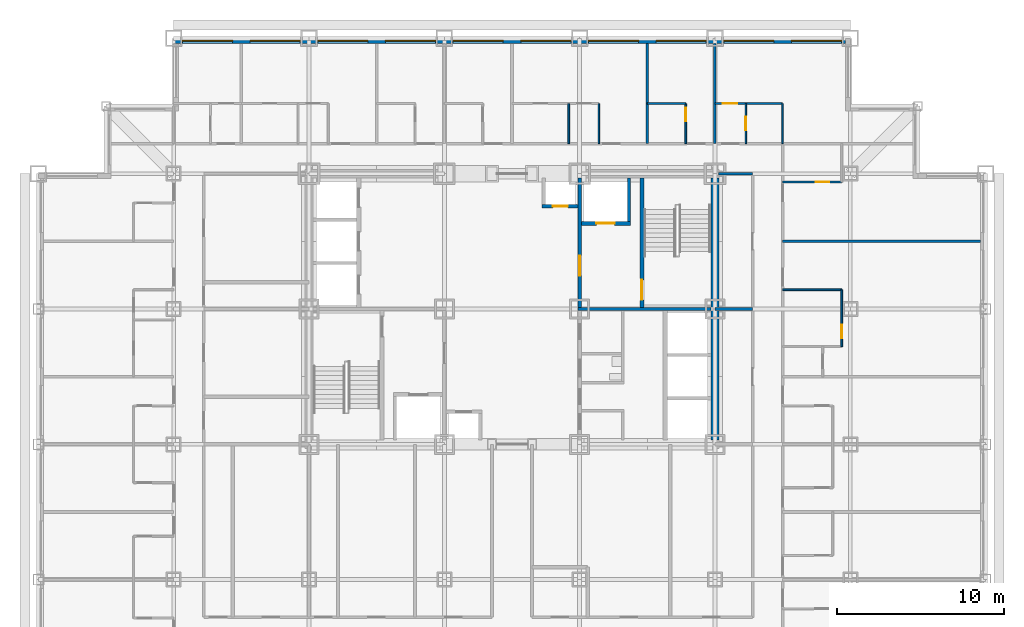
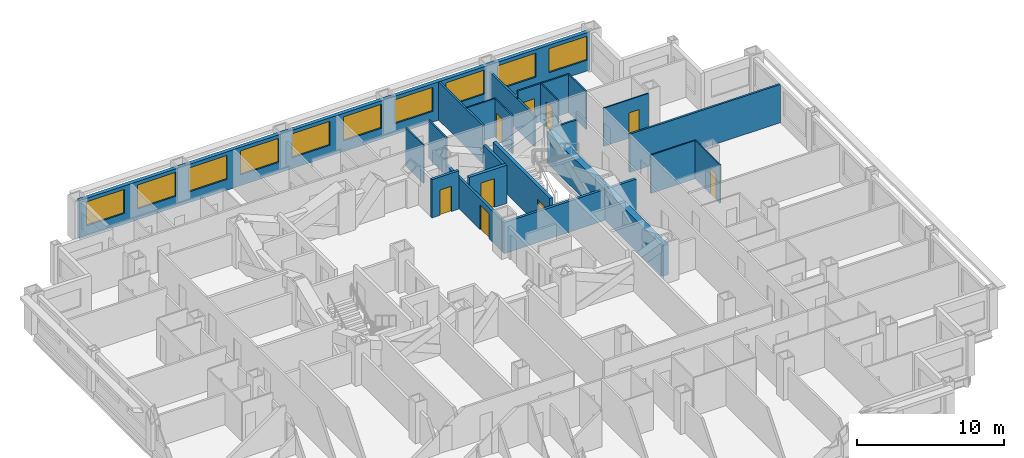
# One storey, part 10 of 13: 23 walls, 10 windows, 9 doors, 19 openings.
"""IFC4 building model written with IfcOpenShell, lengths in metres."""

from ifc_helpers import new_model, si_unit, direction, frame, frame_2d, origin, place, context, subcontext, project, spatial, rectangle, extrude, material, layer, layer_set, type_object, element, fill, save


model = new_model("IFC4")

# Units and contexts
model_context = context("Model", 3, precision=1e-05, world=origin(), true_north=direction((0.0, 1.0)))
body_context = subcontext(model_context, "Body", "Model", "MODEL_VIEW")
ifc_project = project(units=[si_unit("LENGTHUNIT", "METRE"), si_unit("AREAUNIT", "SQUARE_METRE"), si_unit("VOLUMEUNIT", "CUBIC_METRE"), si_unit("PLANEANGLEUNIT", "RADIAN"), si_unit("MASSUNIT", "GRAM", prefix="KILO")], contexts=[model_context])

# Site, building, storey
site_placement = place(None, origin())
site = spatial("IfcSite", under=ifc_project, at=site_placement, CompositionType="ELEMENT")
building_placement = place(site_placement, origin())
building = spatial("IfcBuilding", under=site, at=building_placement, Name="Kopane Lantern Tower", CompositionType="ELEMENT")
storey_placement = place(building_placement, frame((0.0, 0.0, 67.0)))
storey = spatial("IfcBuildingStorey", under=building, at=storey_placement, Name="L16", CompositionType="ELEMENT", Elevation=67.0)

# Wall, opening, door
ifc_material_1 = material(Name="Gypsum board on steel studs", Category="steel")
ifc_layer_1 = layer(ifc_material_1, 0.1201171875)
ifc_layer_set_1 = layer_set([ifc_layer_1], Name="APARTMENT INTERNAL WALL 120")
wall_type_1 = type_object("IfcWallType", Name="APARTMENT INTERNAL WALL 120", PredefinedType="PARTITIONING", material=ifc_layer_set_1)
wall_1_placement = place(storey_placement, frame((40.5, 44.699951171875, 0.0), z_axis=(0.0, 0.0, 1.0), x_axis=(1.0, 0.0, 0.0)))
wall_1 = element("IfcWall", 1, at=wall_1_placement, inside=storey, type_object=wall_type_1, Name="Apartment Internal Wall 120 L16", PredefinedType="PARTITIONING", context=body_context, shape_type="SweptSolid", body=[
    extrude(rectangle(XDim=4.050048828125, YDim=0.1201171875, at=frame_2d((2.02490234375, 0.0))), origin(), (0.0, 0.0, 1.0), 3.18994140625),
])
opening_1_placement = place(wall_1_placement, frame((0.47509765625, 0.0, 0.0)))
opening_1 = element("IfcOpeningElement", 2, at=opening_1_placement, cuts=wall_1, Name="Opening L16-079", PredefinedType="OPENING", context=body_context, shape_type="SweptSolid", body=[
    extrude(rectangle(XDim=0.85009765625, YDim=2.10009765625, at=frame_2d((0.425048828125, 1.050048828125))), frame((0.0, 0.070068359375, 0.0), z_axis=(0.0, -1.0, 0.0), x_axis=(1.0, 0.0, 0.0)), (0.0, 0.0, 1.0), 0.14013671875),
])
ifc_material_2 = material(Name="Timber door set", Category="wood")
door_type_1 = type_object("IfcDoorType", Name="DOOR D4 850x2100", OperationType="SINGLE_SWING_LEFT", PredefinedType="DOOR", material=ifc_material_2)
door_1_placement = place(opening_1_placement, origin())
door_1 = element("IfcDoor", 3, at=door_1_placement, inside=storey, type_object=door_type_1, Name="Door L16-079", OperationType="SINGLE_SWING_LEFT", OverallHeight=2.10009765625, OverallWidth=0.85009765625, PredefinedType="DOOR", context=body_context, shape_type="SweptSolid", body=[
    extrude(rectangle(XDim=0.85009765625, YDim=2.10009765625, at=frame_2d((0.425048828125, 1.050048828125))), frame((0.0, 0.02490234375, 0.0), z_axis=(0.0, -1.0, 0.0), x_axis=(1.0, 0.0, 0.0)), (0.0, 0.0, 1.0), 0.050048828125),
])
fill(opening_1, door_1)

# Walls
ifc_material_3 = material(Name="Moisture-resistant board on steel studs", Category="steel")
ifc_layer_2 = layer(ifc_material_3, 0.10009765625)
ifc_layer_set_2 = layer_set([ifc_layer_2], Name="BATHROOM WALL 100")
wall_type_2 = type_object("IfcWallType", Name="BATHROOM WALL 100", PredefinedType="PARTITIONING", material=ifc_layer_set_2)
for number, where, z_axis, x_axis, name in (
    (4, (31.75, 42.300048828125, 0.0), (0.0, 0.0, 1.0), (0.0, 1.0, 0.0), "Bathroom Wall 100 L16"),
    (5, (33.550048828125, 42.300048828125, 0.0), (0.0, 0.0, 1.0), (0.0, 1.0, 0.0), "Bathroom Wall 100 L16"),
):
    element("IfcWall", number, at=place(storey_placement, frame(where, z_axis=z_axis, x_axis=x_axis)), inside=storey, type_object=wall_type_2, Name=name, PredefinedType="PARTITIONING", context=body_context, shape_type="SweptSolid", body=[
        extrude(rectangle(XDim=2.39990234375, YDim=0.10009765625, at=frame_2d((1.199951171875, 0.0))), origin(), (0.0, 0.0, 1.0), 3.18994140625),
    ])
wall_2_placement = place(storey_placement, frame((36.449951171875, 44.699951171875, 0.0), z_axis=(0.0, 0.0, 1.0), x_axis=(1.0, 0.0, 0.0)))
element("IfcWall", 6, at=wall_2_placement, inside=storey, type_object=wall_type_2, Name="Bathroom Wall 100 L16", PredefinedType="PARTITIONING", context=body_context, shape_type="SweptSolid", body=[
    extrude(rectangle(XDim=2.300048828125, YDim=0.10009765625, at=frame_2d((1.14990234375, 0.0))), origin(), (0.0, 0.0, 1.0), 3.18994140625),
])

# Wall, opening, door
wall_3_placement = place(storey_placement, frame((38.75, 42.300048828125, 0.0), z_axis=(0.0, 0.0, 1.0), x_axis=(0.0, 1.0, 0.0)))
wall_3 = element("IfcWall", 7, at=wall_3_placement, inside=storey, type_object=wall_type_2, Name="Bathroom Wall 100 L16", PredefinedType="PARTITIONING", context=body_context, shape_type="SweptSolid", body=[
    extrude(rectangle(XDim=2.39990234375, YDim=0.10009765625, at=frame_2d((1.199951171875, 0.0))), origin(), (0.0, 0.0, 1.0), 3.18994140625),
])
opening_2_placement = place(wall_3_placement, frame((1.35009765625, 0.0, 0.0)))
opening_2 = element("IfcOpeningElement", 8, at=opening_2_placement, cuts=wall_3, Name="Opening L16-039", PredefinedType="OPENING", context=body_context, shape_type="SweptSolid", body=[
    extrude(rectangle(XDim=0.800048828125, YDim=2.10009765625, at=frame_2d((0.39990234375, 1.050048828125))), frame((0.0, 0.06005859375, 0.0), z_axis=(0.0, -1.0, 0.0), x_axis=(1.0, 0.0, 0.0)), (0.0, 0.0, 1.0), 0.1201171875),
])
ifc_material_4 = material(Name="Timber door set", Category="wood")
door_type_2 = type_object("IfcDoorType", Name="DOOR D2 800x2100", OperationType="SINGLE_SWING_LEFT", PredefinedType="DOOR", material=ifc_material_4)
door_2_placement = place(opening_2_placement, origin())
door_2 = element("IfcDoor", 9, at=door_2_placement, inside=storey, type_object=door_type_2, Name="Door L16-039", OperationType="SINGLE_SWING_RIGHT", OverallHeight=2.10009765625, OverallWidth=0.800048828125, PredefinedType="DOOR", context=body_context, shape_type="SweptSolid", body=[
    extrude(rectangle(XDim=0.800048828125, YDim=2.10009765625, at=frame_2d((0.39990234375, 1.050048828125))), frame((0.0, 0.02490234375, 0.0), z_axis=(0.0, -1.0, 0.0), x_axis=(1.0, 0.0, 0.0)), (0.0, 0.0, 1.0), 0.050048828125),
])
fill(opening_2, door_2)

wall_4_placement = place(storey_placement, frame((48.090087890625, 30.14990234375, 0.0), z_axis=(0.0, 0.0, 1.0), x_axis=(0.0, 1.0, 0.0)))
wall_4 = element("IfcWall", 10, at=wall_4_placement, inside=storey, type_object=wall_type_2, Name="Bathroom Wall 100 L16", PredefinedType="PARTITIONING", context=body_context, shape_type="SweptSolid", body=[
    extrude(rectangle(XDim=3.400146484375, YDim=0.10009765625, at=frame_2d((1.7001953125, 0.0))), origin(), (0.0, 0.0, 1.0), 3.18994140625),
])
opening_3_placement = place(wall_4_placement, frame((0.5, 0.0, 0.0)))
opening_3 = element("IfcOpeningElement", 11, at=opening_3_placement, cuts=wall_4, Name="Opening L16-062", PredefinedType="OPENING", context=body_context, shape_type="SweptSolid", body=[
    extrude(rectangle(XDim=0.800048828125, YDim=2.10009765625, at=frame_2d((0.39990234375, 1.050048828125))), frame((0.0, 0.06005859375, 0.0), z_axis=(0.0, -1.0, 0.0), x_axis=(1.0, 0.0, 0.0)), (0.0, 0.0, 1.0), 0.1201171875),
])
door_3_placement = place(opening_3_placement, origin())
door_3 = element("IfcDoor", 12, at=door_3_placement, inside=storey, type_object=door_type_2, Name="Door L16-062", OperationType="SINGLE_SWING_LEFT", OverallHeight=2.10009765625, OverallWidth=0.800048828125, PredefinedType="DOOR", context=body_context, shape_type="SweptSolid", body=[
    extrude(rectangle(XDim=0.800048828125, YDim=2.10009765625, at=frame_2d((0.39990234375, 1.050048828125))), frame((0.0, 0.02490234375, 0.0), z_axis=(0.0, -1.0, 0.0), x_axis=(1.0, 0.0, 0.0)), (0.0, 0.0, 1.0), 0.050048828125),
])
fill(opening_3, door_3)

# Wall
wall_5_placement = place(storey_placement, frame((44.550048828125, 33.550048828125, 0.0), z_axis=(0.0, 0.0, 1.0), x_axis=(1.0, 0.0, 0.0)))
element("IfcWall", 13, at=wall_5_placement, inside=storey, type_object=wall_type_2, Name="Bathroom Wall 100 L16", PredefinedType="PARTITIONING", context=body_context, shape_type="SweptSolid", body=[
    extrude(rectangle(XDim=3.5400390625, YDim=0.10009765625, at=frame_2d((1.77001953125, 0.0))), origin(), (0.0, 0.0, 1.0), 3.18994140625),
])

# Wall, opening, door
wall_6_placement = place(storey_placement, frame((44.550048828125, 40.0, 0.0), z_axis=(0.0, 0.0, 1.0), x_axis=(1.0, 0.0, 0.0)))
wall_6 = element("IfcWall", 14, at=wall_6_placement, inside=storey, type_object=wall_type_2, Name="Bathroom Wall 100 L16", PredefinedType="PARTITIONING", context=body_context, shape_type="SweptSolid", body=[
    extrude(rectangle(XDim=3.5400390625, YDim=0.10009765625, at=frame_2d((1.77001953125, 0.0))), origin(), (0.0, 0.0, 1.0), 3.18994140625),
])
opening_4_placement = place(wall_6_placement, frame((1.989990234375, 0.0, 0.0)))
opening_4 = element("IfcOpeningElement", 15, at=opening_4_placement, cuts=wall_6, Name="Opening L16-065", PredefinedType="OPENING", context=body_context, shape_type="SweptSolid", body=[
    extrude(rectangle(XDim=0.800048828125, YDim=2.10009765625, at=frame_2d((0.39990234375, 1.050048828125))), frame((0.0, 0.06005859375, 0.0), z_axis=(0.0, -1.0, 0.0), x_axis=(1.0, 0.0, 0.0)), (0.0, 0.0, 1.0), 0.1201171875),
])
door_4_placement = place(opening_4_placement, origin())
door_4 = element("IfcDoor", 16, at=door_4_placement, inside=storey, type_object=door_type_2, Name="Door L16-065", OperationType="SINGLE_SWING_RIGHT", OverallHeight=2.10009765625, OverallWidth=0.800048828125, PredefinedType="DOOR", context=body_context, shape_type="SweptSolid", body=[
    extrude(rectangle(XDim=0.800048828125, YDim=2.10009765625, at=frame_2d((0.39990234375, 1.050048828125))), frame((0.0, 0.02490234375, 0.0), z_axis=(0.0, -1.0, 0.0), x_axis=(1.0, 0.0, 0.0)), (0.0, 0.0, 1.0), 0.050048828125),
])
fill(opening_4, door_4)

wall_7_placement = place(storey_placement, frame((42.35009765625, 42.300048828125, 0.0), z_axis=(0.0, 0.0, 1.0), x_axis=(0.0, 1.0, 0.0)))
wall_7 = element("IfcWall", 17, at=wall_7_placement, inside=storey, type_object=wall_type_2, Name="Bathroom Wall 100 L16", PredefinedType="PARTITIONING", context=body_context, shape_type="SweptSolid", body=[
    extrude(rectangle(XDim=2.39990234375, YDim=0.10009765625, at=frame_2d((1.199951171875, 0.0))), origin(), (0.0, 0.0, 1.0), 3.18994140625),
])
opening_5_placement = place(wall_7_placement, frame((0.800048828125, 0.0, 0.0)))
opening_5 = element("IfcOpeningElement", 18, at=opening_5_placement, cuts=wall_7, Name="Opening L16-077", PredefinedType="OPENING", context=body_context, shape_type="SweptSolid", body=[
    extrude(rectangle(XDim=0.800048828125, YDim=2.10009765625, at=frame_2d((0.39990234375, 1.050048828125))), frame((0.0, 0.06005859375, 0.0), z_axis=(0.0, -1.0, 0.0), x_axis=(1.0, 0.0, 0.0)), (0.0, 0.0, 1.0), 0.1201171875),
])
door_5_placement = place(opening_5_placement, origin())
door_5 = element("IfcDoor", 19, at=door_5_placement, inside=storey, type_object=door_type_2, Name="Door L16-077", OperationType="SINGLE_SWING_RIGHT", OverallHeight=2.10009765625, OverallWidth=0.800048828125, PredefinedType="DOOR", context=body_context, shape_type="SweptSolid", body=[
    extrude(rectangle(XDim=0.800048828125, YDim=2.10009765625, at=frame_2d((0.39990234375, 1.050048828125))), frame((0.0, 0.02490234375, 0.0), z_axis=(0.0, -1.0, 0.0), x_axis=(1.0, 0.0, 0.0)), (0.0, 0.0, 1.0), 0.050048828125),
])
fill(opening_5, door_5)

# Walls
wall_8_placement = place(storey_placement, frame((44.550048828125, 42.300048828125, 0.0), z_axis=(0.0, 0.0, 1.0), x_axis=(0.0, 1.0, 0.0)))
element("IfcWall", 20, at=wall_8_placement, inside=storey, type_object=wall_type_2, Name="Bathroom Wall 100 L16", PredefinedType="PARTITIONING", context=body_context, shape_type="SweptSolid", body=[
    extrude(rectangle(XDim=2.39990234375, YDim=0.10009765625, at=frame_2d((1.199951171875, 0.0))), origin(), (0.0, 0.0, 1.0), 3.18994140625),
])
ifc_material_5 = material(Name="Gypsum shaft wall EI 120", Category="gypsum")
ifc_layer_3 = layer(ifc_material_5, 0.5)
ifc_layer_set_3 = layer_set([ifc_layer_3], Name="CORE PERIMETER WALL 500 EI 120")
wall_type_3 = type_object("IfcWallType", Name="CORE PERIMETER WALL 500 EI 120", PredefinedType="SOLIDWALL", material=ifc_layer_set_3)
wall_9_placement = place(storey_placement, frame((40.5, 24.550048828125, 0.0), z_axis=(0.0, 0.0, 1.0), x_axis=(0.0, 1.0, 0.0)))
element("IfcWall", 21, at=wall_9_placement, inside=storey, type_object=wall_type_3, Name="Core shaft wall L16 PE", PredefinedType="SOLIDWALL", context=body_context, shape_type="SweptSolid", body=[
    extrude(rectangle(XDim=15.699951171875, YDim=0.5, at=frame_2d((7.85009765625, 0.0))), origin(), (0.0, 0.0, 1.0), 2.577880859375),
])

# Wall, opening, door
ifc_material_6 = material(Name="Gypsum shaft wall EI 120", Category="gypsum")
ifc_layer_4 = layer(ifc_material_6, 0.25)
ifc_layer_set_4 = layer_set([ifc_layer_4], Name="CORE SHAFT WALL 250 EI 120")
wall_type_4 = type_object("IfcWallType", Name="CORE SHAFT WALL 250 EI 120", PredefinedType="SOLIDWALL", material=ifc_layer_set_4)
wall_10_placement = place(storey_placement, frame((36.125, 32.5, 0.0), z_axis=(0.0, 0.0, 1.0), x_axis=(0.0, 1.0, 0.0)))
wall_10 = element("IfcWall", 22, at=wall_10_placement, inside=storey, type_object=wall_type_4, Name="Core shaft wall L16 XST2", PredefinedType="SOLIDWALL", context=body_context, shape_type="SweptSolid", body=[
    extrude(rectangle(XDim=7.75, YDim=0.25, at=frame_2d((3.875, 0.0))), origin(), (0.0, 0.0, 1.0), 3.18994140625),
])
opening_6_placement = place(wall_10_placement, frame((0.449951171875, 0.0, 0.0)))
opening_6 = element("IfcOpeningElement", 23, at=opening_6_placement, cuts=wall_10, Name="Opening 16.SD2", PredefinedType="OPENING", context=body_context, shape_type="SweptSolid", body=[
    extrude(rectangle(XDim=1.199951171875, YDim=2.10009765625, at=frame_2d((0.60009765625, 1.050048828125))), frame((0.0, 0.135009765625, 0.0), z_axis=(0.0, -1.0, 0.0), x_axis=(1.0, 0.0, 0.0)), (0.0, 0.0, 1.0), 0.27001953125),
])
ifc_material_7 = material(Name="Steel door set", Category="steel")
door_type_3 = type_object("IfcDoorType", Name="STAIR DOOR 1200x2100 FD60S", OperationType="SINGLE_SWING_LEFT", PredefinedType="DOOR", material=ifc_material_7)
door_6_placement = place(opening_6_placement, origin())
door_6 = element("IfcDoor", 24, at=door_6_placement, inside=storey, type_object=door_type_3, Name="Stair door ST2 L16", OperationType="SINGLE_SWING_RIGHT", OverallHeight=2.10009765625, OverallWidth=1.199951171875, PredefinedType="DOOR", context=body_context, shape_type="SweptSolid", body=[
    extrude(rectangle(XDim=1.199951171875, YDim=2.10009765625, at=frame_2d((0.60009765625, 1.050048828125))), frame((0.0, 0.02490234375, 0.0), z_axis=(0.0, -1.0, 0.0), x_axis=(1.0, 0.0, 0.0)), (0.0, 0.0, 1.0), 0.050048828125),
])
fill(opening_6, door_6)

wall_11_placement = place(storey_placement, frame((32.5, 37.52490234375, 0.0), z_axis=(0.0, 0.0, 1.0), x_axis=(1.0, 0.0, 0.0)))
wall_11 = element("IfcWall", 25, at=wall_11_placement, inside=storey, type_object=wall_type_4, Name="Core shaft wall L16 YLF2", PredefinedType="SOLIDWALL", context=body_context, shape_type="SweptSolid", body=[
    extrude(rectangle(XDim=2.949951171875, YDim=0.25, at=frame_2d((1.47509765625, 0.0))), origin(), (0.0, 0.0, 1.0), 3.18994140625),
])
opening_7_placement = place(wall_11_placement, frame((0.89990234375, 0.0, 0.0)))
opening_7 = element("IfcOpeningElement", 26, at=opening_7_placement, cuts=wall_11, Name="Opening 16.LD-LF2", PredefinedType="OPENING", context=body_context, shape_type="SweptSolid", body=[
    extrude(rectangle(XDim=1.10009765625, YDim=2.39990234375, at=frame_2d((0.550048828125, 1.199951171875))), frame((0.0, 0.135009765625, 0.0), z_axis=(0.0, -1.0, 0.0), x_axis=(1.0, 0.0, 0.0)), (0.0, 0.0, 1.0), 0.27001953125),
])
ifc_material_8 = material(Name="Steel door set", Category="steel")
door_type_4 = type_object("IfcDoorType", Name="LIFT LANDING DOOR 1100x2400 FD60", OperationType="DOUBLE_DOOR_SLIDING", PredefinedType="DOOR", material=ifc_material_8)
door_7_placement = place(opening_7_placement, origin())
door_7 = element("IfcDoor", 27, at=door_7_placement, inside=storey, type_object=door_type_4, Name="Landing door LF2 L16", OperationType="DOUBLE_DOOR_SLIDING", OverallHeight=2.39990234375, OverallWidth=1.10009765625, PredefinedType="DOOR", context=body_context, shape_type="SweptSolid", body=[
    extrude(rectangle(XDim=1.10009765625, YDim=2.39990234375, at=frame_2d((0.550048828125, 1.199951171875))), frame((0.0, 0.02490234375, 0.0), z_axis=(0.0, -1.0, 0.0), x_axis=(1.0, 0.0, 0.0)), (0.0, 0.0, 1.0), 0.050048828125),
])
fill(opening_7, door_7)

# Walls
ifc_material_9 = material(Name="Gypsum board on steel studs", Category="steel")
ifc_layer_5 = layer(ifc_material_9, 0.14990234375)
ifc_layer_set_5 = layer_set([ifc_layer_5], Name="CORRIDOR WALL 150 EI 60")
wall_type_5 = type_object("IfcWallType", Name="CORRIDOR WALL 150 EI 60", PredefinedType="PARTITIONING", material=ifc_layer_set_5)
wall_12_placement = place(storey_placement, frame((42.75, 40.5, 0.0), z_axis=(0.0, 0.0, 1.0), x_axis=(-1.0, 0.0, 0.0)))
element("IfcWall", 28, at=wall_12_placement, inside=storey, type_object=wall_type_5, Name="Corridor Wall 150 Ei 60 L16", PredefinedType="PARTITIONING", context=body_context, shape_type="SweptSolid", body=[
    extrude(rectangle(XDim=2.050048828125, YDim=0.14990234375, at=frame_2d((1.02490234375, 0.0))), origin(), (0.0, 0.0, 1.0), 2.577880859375),
])
ifc_material_10 = material(Name="Gypsum board on steel studs", Category="steel")
ifc_layer_6 = layer(ifc_material_10, 0.14990234375)
ifc_layer_set_6 = layer_set([ifc_layer_6], Name="DEMISING WALL 150 EI 60")
wall_type_6 = type_object("IfcWallType", Name="DEMISING WALL 150 EI 60", PredefinedType="PARTITIONING", material=ifc_layer_set_6)
wall_13_placement = place(storey_placement, frame((36.449951171875, 42.300048828125, 0.0), z_axis=(0.0, 0.0, 1.0), x_axis=(0.0, 1.0, 0.0)))
element("IfcWall", 29, at=wall_13_placement, inside=storey, type_object=wall_type_6, Name="Demising Wall 150 Ei 60 L16", PredefinedType="PARTITIONING", context=body_context, shape_type="SweptSolid", body=[
    extrude(rectangle(XDim=6.0, YDim=0.14990234375, at=frame_2d((3.0, 0.0))), origin(), (0.0, 0.0, 1.0), 3.18994140625),
])
wall_14_placement = place(storey_placement, frame((44.550048828125, 36.449951171875, 0.0), z_axis=(0.0, 0.0, 1.0), x_axis=(1.0, 0.0, 0.0)))
element("IfcWall", 30, at=wall_14_placement, inside=storey, type_object=wall_type_6, Name="Demising Wall 150 Ei 60 L16", PredefinedType="PARTITIONING", context=body_context, shape_type="SweptSolid", body=[
    extrude(rectangle(XDim=11.849853515625, YDim=0.14990234375, at=frame_2d((5.9248046875, 0.0))), origin(), (0.0, 0.0, 1.0), 3.18994140625),
])
wall_15_placement = place(storey_placement, frame((40.5, 42.300048828125, 0.0), z_axis=(0.0, 0.0, 1.0), x_axis=(0.0, 1.0, 0.0)))
element("IfcWall", 31, at=wall_15_placement, inside=storey, type_object=wall_type_6, Name="Demising Wall 150 Ei 60 L16", PredefinedType="PARTITIONING", context=body_context, shape_type="SweptSolid", body=[
    extrude(rectangle(XDim=6.0, YDim=0.14990234375, at=frame_2d((3.0, 0.0))), origin(), (0.0, 0.0, 1.0), 2.577880859375),
])

# Wall, openings, windows
ifc_material_11 = material(Name="Terracotta rainscreen on light steel framing", Category="masonry")
ifc_layer_7 = layer(ifc_material_11, 0.300048828125)
ifc_layer_set_7 = layer_set([ifc_layer_7], Name="EXTERNAL WALL EW1 300 TERRACOTTA")
wall_type_7 = type_object("IfcWallType", Name="EXTERNAL WALL EW1 300 TERRACOTTA", PredefinedType="SOLIDWALL", material=ifc_layer_set_7)
wall_16_placement = place(storey_placement, frame((48.300048828125, 48.449951171875, 0.0), z_axis=(0.0, 0.0, 1.0), x_axis=(-1.0, 0.0, 0.0)))
wall_16 = element("IfcWall", 32, at=wall_16_placement, inside=storey, type_object=wall_type_7, Name="External wall N L16", PredefinedType="SOLIDWALL", context=body_context, shape_type="SweptSolid", body=[
    extrude(rectangle(XDim=40.199951171875, YDim=0.300048828125, at=frame_2d((20.10009765625, 0.0))), origin(), (0.0, 0.0, 1.0), 3.18994140625),
])
opening_8_placement = place(wall_16_placement, frame((0.22509765625, 0.0, 0.89990234375)))
opening_8 = element("IfcOpeningElement", 33, at=opening_8_placement, cuts=wall_16, Name="Opening WR300200", PredefinedType="OPENING", context=body_context, shape_type="SweptSolid", body=[
    extrude(rectangle(XDim=3.0, YDim=2.0, at=frame_2d((1.5, 1.0))), frame((0.0, 0.159912109375, 0.0), z_axis=(0.0, -1.0, 0.0), x_axis=(1.0, 0.0, 0.0)), (0.0, 0.0, 1.0), 0.320068359375),
])
opening_9_placement = place(wall_16_placement, frame((4.27490234375, 0.0, 0.89990234375)))
opening_9 = element("IfcOpeningElement", 34, at=opening_9_placement, cuts=wall_16, Name="Opening WR300200", PredefinedType="OPENING", context=body_context, shape_type="SweptSolid", body=[
    extrude(rectangle(XDim=3.0, YDim=2.0, at=frame_2d((1.5, 1.0))), frame((0.0, 0.159912109375, 0.0), z_axis=(0.0, -1.0, 0.0), x_axis=(1.0, 0.0, 0.0)), (0.0, 0.0, 1.0), 0.320068359375),
])
opening_10_placement = place(wall_16_placement, frame((8.324951171875, 0.0, 0.89990234375)))
opening_10 = element("IfcOpeningElement", 35, at=opening_10_placement, cuts=wall_16, Name="Opening WR300200", PredefinedType="OPENING", context=body_context, shape_type="SweptSolid", body=[
    extrude(rectangle(XDim=3.0, YDim=2.0, at=frame_2d((1.5, 1.0))), frame((0.0, 0.159912109375, 0.0), z_axis=(0.0, -1.0, 0.0), x_axis=(1.0, 0.0, 0.0)), (0.0, 0.0, 1.0), 0.320068359375),
])
opening_11_placement = place(wall_16_placement, frame((12.375, 0.0, 0.89990234375)))
opening_11 = element("IfcOpeningElement", 36, at=opening_11_placement, cuts=wall_16, Name="Opening WR300200", PredefinedType="OPENING", context=body_context, shape_type="SweptSolid", body=[
    extrude(rectangle(XDim=3.0, YDim=2.0, at=frame_2d((1.5, 1.0))), frame((0.0, 0.159912109375, 0.0), z_axis=(0.0, -1.0, 0.0), x_axis=(1.0, 0.0, 0.0)), (0.0, 0.0, 1.0), 0.320068359375),
])
opening_12_placement = place(wall_16_placement, frame((16.425048828125, 0.0, 0.89990234375)))
opening_12 = element("IfcOpeningElement", 37, at=opening_12_placement, cuts=wall_16, Name="Opening WR300200", PredefinedType="OPENING", context=body_context, shape_type="SweptSolid", body=[
    extrude(rectangle(XDim=3.0, YDim=2.0, at=frame_2d((1.5, 1.0))), frame((0.0, 0.159912109375, 0.0), z_axis=(0.0, -1.0, 0.0), x_axis=(1.0, 0.0, 0.0)), (0.0, 0.0, 1.0), 0.320068359375),
])
opening_13_placement = place(wall_16_placement, frame((20.47509765625, 0.0, 0.89990234375)))
opening_13 = element("IfcOpeningElement", 38, at=opening_13_placement, cuts=wall_16, Name="Opening WR300200", PredefinedType="OPENING", context=body_context, shape_type="SweptSolid", body=[
    extrude(rectangle(XDim=3.0, YDim=2.0, at=frame_2d((1.5, 1.0))), frame((0.0, 0.159912109375, 0.0), z_axis=(0.0, -1.0, 0.0), x_axis=(1.0, 0.0, 0.0)), (0.0, 0.0, 1.0), 0.320068359375),
])
opening_14_placement = place(wall_16_placement, frame((24.52490234375, 0.0, 0.89990234375)))
opening_14 = element("IfcOpeningElement", 39, at=opening_14_placement, cuts=wall_16, Name="Opening WR300200", PredefinedType="OPENING", context=body_context, shape_type="SweptSolid", body=[
    extrude(rectangle(XDim=3.0, YDim=2.0, at=frame_2d((1.5, 1.0))), frame((0.0, 0.159912109375, 0.0), z_axis=(0.0, -1.0, 0.0), x_axis=(1.0, 0.0, 0.0)), (0.0, 0.0, 1.0), 0.320068359375),
])
opening_15_placement = place(wall_16_placement, frame((28.574951171875, 0.0, 0.89990234375)))
opening_15 = element("IfcOpeningElement", 40, at=opening_15_placement, cuts=wall_16, Name="Opening WR300200", PredefinedType="OPENING", context=body_context, shape_type="SweptSolid", body=[
    extrude(rectangle(XDim=3.0, YDim=2.0, at=frame_2d((1.5, 1.0))), frame((0.0, 0.159912109375, 0.0), z_axis=(0.0, -1.0, 0.0), x_axis=(1.0, 0.0, 0.0)), (0.0, 0.0, 1.0), 0.320068359375),
])
opening_16_placement = place(wall_16_placement, frame((32.625, 0.0, 0.89990234375)))
opening_16 = element("IfcOpeningElement", 41, at=opening_16_placement, cuts=wall_16, Name="Opening WR300200", PredefinedType="OPENING", context=body_context, shape_type="SweptSolid", body=[
    extrude(rectangle(XDim=3.0, YDim=2.0, at=frame_2d((1.5, 1.0))), frame((0.0, 0.159912109375, 0.0), z_axis=(0.0, -1.0, 0.0), x_axis=(1.0, 0.0, 0.0)), (0.0, 0.0, 1.0), 0.320068359375),
])
opening_17_placement = place(wall_16_placement, frame((36.675048828125, 0.0, 0.89990234375)))
opening_17 = element("IfcOpeningElement", 42, at=opening_17_placement, cuts=wall_16, Name="Opening WR300200", PredefinedType="OPENING", context=body_context, shape_type="SweptSolid", body=[
    extrude(rectangle(XDim=3.0, YDim=2.0, at=frame_2d((1.5, 1.0))), frame((0.0, 0.159912109375, 0.0), z_axis=(0.0, -1.0, 0.0), x_axis=(1.0, 0.0, 0.0)), (0.0, 0.0, 1.0), 0.320068359375),
])
ifc_material_12 = material(Name="Aluminium and clear glass", Category="aluminium")
window_type = type_object("IfcWindowType", Name="RIBBON WINDOW WR300200 3000x2000", PartitioningType="SINGLE_PANEL", PredefinedType="WINDOW", material=ifc_material_12)
window_1_placement = place(opening_8_placement, origin())
window_1 = element("IfcWindow", 43, at=window_1_placement, inside=storey, type_object=window_type, Name="Window N L16", OverallHeight=2.0, OverallWidth=3.0, PartitioningType="SINGLE_PANEL", PredefinedType="WINDOW", context=body_context, shape_type="SweptSolid", body=[
    extrude(rectangle(XDim=3.0, YDim=2.0, at=frame_2d((1.5, 1.0))), frame((0.0, 0.030029296875, 0.0), z_axis=(0.0, -1.0, 0.0), x_axis=(1.0, 0.0, 0.0)), (0.0, 0.0, 1.0), 0.06005859375),
])
fill(opening_8, window_1)
window_2_placement = place(opening_9_placement, origin())
window_2 = element("IfcWindow", 44, at=window_2_placement, inside=storey, type_object=window_type, Name="Window N L16", OverallHeight=2.0, OverallWidth=3.0, PartitioningType="SINGLE_PANEL", PredefinedType="WINDOW", context=body_context, shape_type="SweptSolid", body=[
    extrude(rectangle(XDim=3.0, YDim=2.0, at=frame_2d((1.5, 1.0))), frame((0.0, 0.030029296875, 0.0), z_axis=(0.0, -1.0, 0.0), x_axis=(1.0, 0.0, 0.0)), (0.0, 0.0, 1.0), 0.06005859375),
])
fill(opening_9, window_2)
window_3_placement = place(opening_10_placement, origin())
window_3 = element("IfcWindow", 45, at=window_3_placement, inside=storey, type_object=window_type, Name="Window N L16", OverallHeight=2.0, OverallWidth=3.0, PartitioningType="SINGLE_PANEL", PredefinedType="WINDOW", context=body_context, shape_type="SweptSolid", body=[
    extrude(rectangle(XDim=3.0, YDim=2.0, at=frame_2d((1.5, 1.0))), frame((0.0, 0.030029296875, 0.0), z_axis=(0.0, -1.0, 0.0), x_axis=(1.0, 0.0, 0.0)), (0.0, 0.0, 1.0), 0.06005859375),
])
fill(opening_10, window_3)
window_4_placement = place(opening_11_placement, origin())
window_4 = element("IfcWindow", 46, at=window_4_placement, inside=storey, type_object=window_type, Name="Window N L16", OverallHeight=2.0, OverallWidth=3.0, PartitioningType="SINGLE_PANEL", PredefinedType="WINDOW", context=body_context, shape_type="SweptSolid", body=[
    extrude(rectangle(XDim=3.0, YDim=2.0, at=frame_2d((1.5, 1.0))), frame((0.0, 0.030029296875, 0.0), z_axis=(0.0, -1.0, 0.0), x_axis=(1.0, 0.0, 0.0)), (0.0, 0.0, 1.0), 0.06005859375),
])
fill(opening_11, window_4)
window_5_placement = place(opening_12_placement, origin())
window_5 = element("IfcWindow", 47, at=window_5_placement, inside=storey, type_object=window_type, Name="Window N L16", OverallHeight=2.0, OverallWidth=3.0, PartitioningType="SINGLE_PANEL", PredefinedType="WINDOW", context=body_context, shape_type="SweptSolid", body=[
    extrude(rectangle(XDim=3.0, YDim=2.0, at=frame_2d((1.5, 1.0))), frame((0.0, 0.030029296875, 0.0), z_axis=(0.0, -1.0, 0.0), x_axis=(1.0, 0.0, 0.0)), (0.0, 0.0, 1.0), 0.06005859375),
])
fill(opening_12, window_5)
window_6_placement = place(opening_13_placement, origin())
window_6 = element("IfcWindow", 48, at=window_6_placement, inside=storey, type_object=window_type, Name="Window N L16", OverallHeight=2.0, OverallWidth=3.0, PartitioningType="SINGLE_PANEL", PredefinedType="WINDOW", context=body_context, shape_type="SweptSolid", body=[
    extrude(rectangle(XDim=3.0, YDim=2.0, at=frame_2d((1.5, 1.0))), frame((0.0, 0.030029296875, 0.0), z_axis=(0.0, -1.0, 0.0), x_axis=(1.0, 0.0, 0.0)), (0.0, 0.0, 1.0), 0.06005859375),
])
fill(opening_13, window_6)
window_7_placement = place(opening_14_placement, origin())
window_7 = element("IfcWindow", 49, at=window_7_placement, inside=storey, type_object=window_type, Name="Window N L16", OverallHeight=2.0, OverallWidth=3.0, PartitioningType="SINGLE_PANEL", PredefinedType="WINDOW", context=body_context, shape_type="SweptSolid", body=[
    extrude(rectangle(XDim=3.0, YDim=2.0, at=frame_2d((1.5, 1.0))), frame((0.0, 0.030029296875, 0.0), z_axis=(0.0, -1.0, 0.0), x_axis=(1.0, 0.0, 0.0)), (0.0, 0.0, 1.0), 0.06005859375),
])
fill(opening_14, window_7)
window_8_placement = place(opening_15_placement, origin())
window_8 = element("IfcWindow", 50, at=window_8_placement, inside=storey, type_object=window_type, Name="Window N L16", OverallHeight=2.0, OverallWidth=3.0, PartitioningType="SINGLE_PANEL", PredefinedType="WINDOW", context=body_context, shape_type="SweptSolid", body=[
    extrude(rectangle(XDim=3.0, YDim=2.0, at=frame_2d((1.5, 1.0))), frame((0.0, 0.030029296875, 0.0), z_axis=(0.0, -1.0, 0.0), x_axis=(1.0, 0.0, 0.0)), (0.0, 0.0, 1.0), 0.06005859375),
])
fill(opening_15, window_8)
window_9_placement = place(opening_16_placement, origin())
window_9 = element("IfcWindow", 51, at=window_9_placement, inside=storey, type_object=window_type, Name="Window N L16", OverallHeight=2.0, OverallWidth=3.0, PartitioningType="SINGLE_PANEL", PredefinedType="WINDOW", context=body_context, shape_type="SweptSolid", body=[
    extrude(rectangle(XDim=3.0, YDim=2.0, at=frame_2d((1.5, 1.0))), frame((0.0, 0.030029296875, 0.0), z_axis=(0.0, -1.0, 0.0), x_axis=(1.0, 0.0, 0.0)), (0.0, 0.0, 1.0), 0.06005859375),
])
fill(opening_16, window_9)
window_10_placement = place(opening_17_placement, origin())
window_10 = element("IfcWindow", 52, at=window_10_placement, inside=storey, type_object=window_type, Name="Window N L16", OverallHeight=2.0, OverallWidth=3.0, PartitioningType="SINGLE_PANEL", PredefinedType="WINDOW", context=body_context, shape_type="SweptSolid", body=[
    extrude(rectangle(XDim=3.0, YDim=2.0, at=frame_2d((1.5, 1.0))), frame((0.0, 0.030029296875, 0.0), z_axis=(0.0, -1.0, 0.0), x_axis=(1.0, 0.0, 0.0)), (0.0, 0.0, 1.0), 0.06005859375),
])
fill(opening_17, window_10)

# Walls
ifc_material_13 = material(Name="Concrete masonry", Category="masonry")
ifc_layer_8 = layer(ifc_material_13, 0.199951171875)
ifc_layer_set_8 = layer_set([ifc_layer_8], Name="PLANT ROOM WALL 200 EI 120")
wall_type_8 = type_object("IfcWallType", Name="PLANT ROOM WALL 200 EI 120", PredefinedType="SOLIDWALL", material=ifc_layer_set_8)
wall_17_placement = place(storey_placement, frame((40.5, 32.39990234375, 0.0), z_axis=(0.0, 0.0, 1.0), x_axis=(1.0, 0.0, 0.0)))
element("IfcWall", 53, at=wall_17_placement, inside=storey, type_object=wall_type_8, Name="Plant Room Wall 200 Ei 120 L16", PredefinedType="SOLIDWALL", context=body_context, shape_type="SweptSolid", body=[
    extrude(rectangle(XDim=2.25, YDim=0.199951171875, at=frame_2d((1.125, 0.0))), origin(), (0.0, 0.0, 1.0), 2.577880859375),
])
ifc_material_14 = material(Name="Gypsum shaft wall EI 120", Category="gypsum")
ifc_layer_9 = layer(ifc_material_14, 0.199951171875)
ifc_layer_set_9 = layer_set([ifc_layer_9], Name="SHAFT WALL 200 EI 120")
wall_type_9 = type_object("IfcWallType", Name="SHAFT WALL 200 EI 120", PredefinedType="SOLIDWALL", material=ifc_layer_set_9)
wall_18_placement = place(storey_placement, frame((32.300048828125, 32.39990234375, 0.0), z_axis=(0.0, 0.0, 1.0), x_axis=(1.0, 0.0, 0.0)))
element("IfcWall", 54, at=wall_18_placement, inside=storey, type_object=wall_type_9, Name="Core shaft wall L16 Y324E", PredefinedType="SOLIDWALL", context=body_context, shape_type="SweptSolid", body=[
    extrude(rectangle(XDim=7.949951171875, YDim=0.199951171875, at=frame_2d((3.97509765625, 0.0))), origin(), (0.0, 0.0, 1.0), 2.577880859375),
])

# Wall, opening, door
wall_19_placement = place(storey_placement, frame((32.39990234375, 32.5, 0.0), z_axis=(0.0, 0.0, 1.0), x_axis=(0.0, 1.0, 0.0)))
wall_19 = element("IfcWall", 55, at=wall_19_placement, inside=storey, type_object=wall_type_9, Name="Core shaft wall L16 X324", PredefinedType="SOLIDWALL", context=body_context, shape_type="SweptSolid", body=[
    extrude(rectangle(XDim=7.75, YDim=0.199951171875, at=frame_2d((3.875, 0.0))), origin(), (0.0, 0.0, 1.0), 2.577880859375),
])
opening_18_placement = place(wall_19_placement, frame((1.89990234375, 0.0, 0.0)))
opening_18 = element("IfcOpeningElement", 56, at=opening_18_placement, cuts=wall_19, Name="Opening 16.FL2", PredefinedType="OPENING", context=body_context, shape_type="SweptSolid", body=[
    extrude(rectangle(XDim=1.199951171875, YDim=2.10009765625, at=frame_2d((0.60009765625, 1.050048828125))), frame((0.0, 0.10986328125, 0.0), z_axis=(0.0, -1.0, 0.0), x_axis=(1.0, 0.0, 0.0)), (0.0, 0.0, 1.0), 0.219970703125),
])
ifc_material_15 = material(Name="Steel door set", Category="steel")
door_type_5 = type_object("IfcDoorType", Name="FIREFIGHTING LOBBY DOOR 1200x2100 FD60S", OperationType="SINGLE_SWING_RIGHT", PredefinedType="DOOR", material=ifc_material_15)
door_8_placement = place(opening_18_placement, origin())
door_8 = element("IfcDoor", 57, at=door_8_placement, inside=storey, type_object=door_type_5, Name="Firefighting lobby door FL2 L16", OperationType="SINGLE_SWING_LEFT", OverallHeight=2.10009765625, OverallWidth=1.199951171875, PredefinedType="DOOR", context=body_context, shape_type="SweptSolid", body=[
    extrude(rectangle(XDim=1.199951171875, YDim=2.10009765625, at=frame_2d((0.60009765625, 1.050048828125))), frame((0.0, 0.02490234375, 0.0), z_axis=(0.0, -1.0, 0.0), x_axis=(1.0, 0.0, 0.0)), (0.0, 0.0, 1.0), 0.050048828125),
])
fill(opening_18, door_8)

# Wall
wall_20_placement = place(storey_placement, frame((35.35009765625, 37.64990234375, 0.0), z_axis=(0.0, 0.0, 1.0), x_axis=(0.0, 1.0, 0.0)))
element("IfcWall", 58, at=wall_20_placement, inside=storey, type_object=wall_type_9, Name="Core shaft wall L16 XLF2", PredefinedType="SOLIDWALL", context=body_context, shape_type="SweptSolid", body=[
    extrude(rectangle(XDim=2.60009765625, YDim=0.199951171875, at=frame_2d((1.300048828125, 0.0))), origin(), (0.0, 0.0, 1.0), 3.18994140625),
])

# Wall, opening, door
wall_21_placement = place(storey_placement, frame((30.14990234375, 38.550048828125, 0.0), z_axis=(0.0, 0.0, 1.0), x_axis=(1.0, 0.0, 0.0)))
wall_21 = element("IfcWall", 59, at=wall_21_placement, inside=storey, type_object=wall_type_9, Name="Core shaft wall L16 YRS2", PredefinedType="SOLIDWALL", context=body_context, shape_type="SweptSolid", body=[
    extrude(rectangle(XDim=2.150146484375, YDim=0.199951171875, at=frame_2d((1.0751953125, 0.0))), origin(), (0.0, 0.0, 1.0), 3.18994140625),
])
opening_19_placement = place(wall_21_placement, frame((0.64990234375, 0.0, 0.0)))
opening_19 = element("IfcOpeningElement", 60, at=opening_19_placement, cuts=wall_21, Name="Opening 16.RS2", PredefinedType="OPENING", context=body_context, shape_type="SweptSolid", body=[
    extrude(rectangle(XDim=0.89990234375, YDim=2.10009765625, at=frame_2d((0.449951171875, 1.050048828125))), frame((0.0, 0.10986328125, 0.0), z_axis=(0.0, -1.0, 0.0), x_axis=(1.0, 0.0, 0.0)), (0.0, 0.0, 1.0), 0.219970703125),
])
ifc_material_16 = material(Name="Steel door set", Category="steel")
door_type_6 = type_object("IfcDoorType", Name="RISER ACCESS DOOR 900x2100 FD60", OperationType="SINGLE_SWING_LEFT", PredefinedType="DOOR", material=ifc_material_16)
door_9_placement = place(opening_19_placement, origin())
door_9 = element("IfcDoor", 61, at=door_9_placement, inside=storey, type_object=door_type_6, Name="Riser access door RS2 L16", OperationType="SINGLE_SWING_LEFT", OverallHeight=2.10009765625, OverallWidth=0.89990234375, PredefinedType="DOOR", context=body_context, shape_type="SweptSolid", body=[
    extrude(rectangle(XDim=0.89990234375, YDim=2.10009765625, at=frame_2d((0.449951171875, 1.050048828125))), frame((0.0, 0.02490234375, 0.0), z_axis=(0.0, -1.0, 0.0), x_axis=(1.0, 0.0, 0.0)), (0.0, 0.0, 1.0), 0.050048828125),
])
fill(opening_19, door_9)

save(model, "model.ifc")
